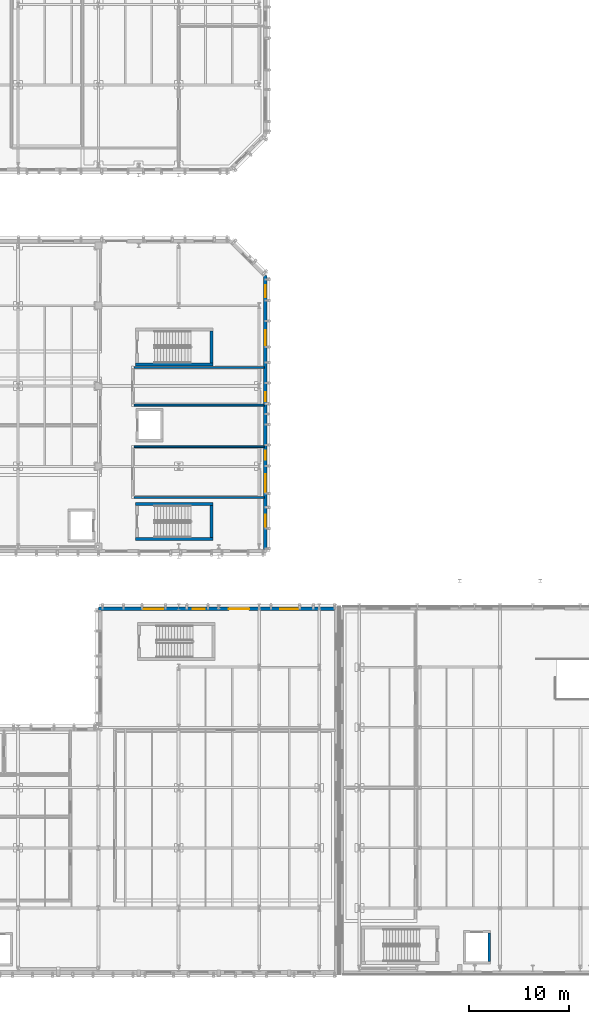
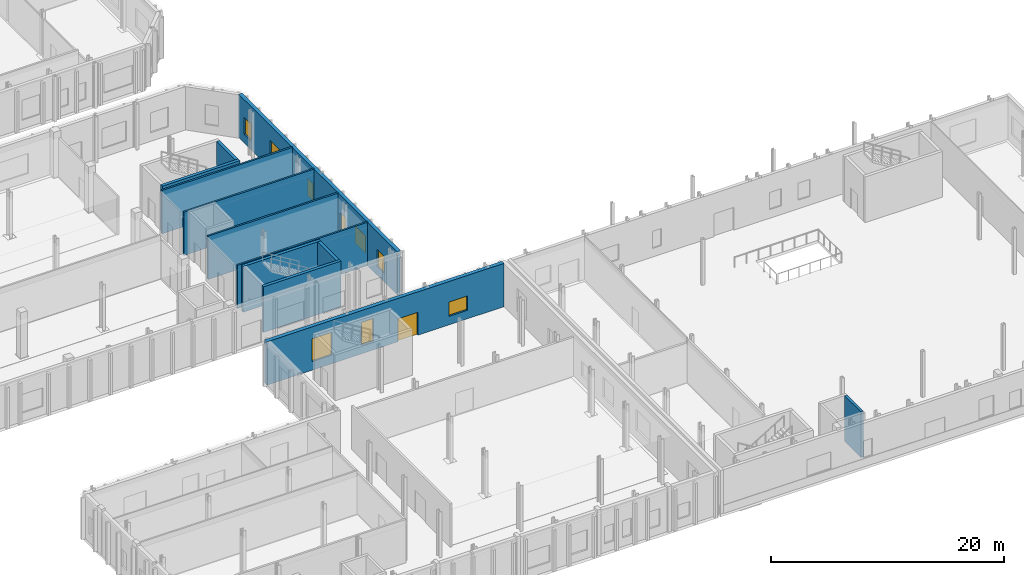
# One storey, part 25 of 60: 12 walls, 9 windows, 1 door, 10 openings.
"""IFC4 building model written with IfcOpenShell, lengths in metres."""

from ifc_helpers import new_model, si_unit, direction, frame, frame_2d, origin, place, context, subcontext, project, spatial, rectangle, extrude, material, layer, layer_set, type_object, element, fill, save


model = new_model("IFC4")

# Units and contexts
model_context = context("Model", 3, precision=1e-05, world=origin(), true_north=direction((0.0, 1.0)))
body_context = subcontext(model_context, "Body", "Model", "MODEL_VIEW")
ifc_project = project(units=[si_unit("LENGTHUNIT", "METRE"), si_unit("AREAUNIT", "SQUARE_METRE"), si_unit("VOLUMEUNIT", "CUBIC_METRE"), si_unit("PLANEANGLEUNIT", "RADIAN"), si_unit("MASSUNIT", "GRAM", prefix="KILO")], contexts=[model_context])

# Site, building, storey
site_placement = place(None, origin())
site = spatial("IfcSite", under=ifc_project, at=site_placement, CompositionType="ELEMENT")
building_placement = place(site_placement, origin())
building = spatial("IfcBuilding", under=site, at=building_placement, Name="Cymarion Research Institute", CompositionType="ELEMENT")
storey_placement = place(building_placement, origin())
storey = spatial("IfcBuildingStorey", under=building, at=storey_placement, Name="L00", CompositionType="ELEMENT", Elevation=0.0)

# Wall, openings, windows
ifc_material_1 = material(Name="Precast concrete C40/50", Category="concrete")
ifc_layer_1 = layer(ifc_material_1, 0.340087890625)
ifc_layer_set_1 = layer_set([ifc_layer_1], Name="Precast concrete C40/50")
wall_type_1 = type_object("IfcWallType", Name="EXTERIOR WALL EW-PC340 340MM", PredefinedType="SOLIDWALL", material=ifc_layer_set_1)
wall_1_placement = place(storey_placement, frame((47.22998046875, 47.221923828125, 0.0), z_axis=(0.0, 0.0, 1.0), x_axis=(0.0, 1.0, 0.0)))
wall_1 = element("IfcWall", 1, at=wall_1_placement, inside=storey, type_object=wall_type_1, Name="L00 V4 exterior wall EW-PC340 #66", PredefinedType="SOLIDWALL", context=body_context, shape_type="SweptSolid", body=[
    extrude(rectangle(XDim=27.278076171875, YDim=0.340087890625, at=frame_2d((13.63916015625, 0.0))), origin(), (0.0, 0.0, 1.0), 4.550048828125),
])
opening_1_placement = place(wall_1_placement, frame((2.248046875, 0.0, 0.89990234375)))
opening_1 = element("IfcOpeningElement", 2, at=opening_1_placement, cuts=wall_1, Name="Opening W01", PredefinedType="OPENING", context=body_context, shape_type="SweptSolid", body=[
    extrude(rectangle(XDim=1.199951171875, YDim=1.800048828125, at=frame_2d((0.60009765625, 0.89990234375))), frame((0.0, 0.179931640625, 0.0), z_axis=(0.0, -1.0, 0.0), x_axis=(1.0, 0.0, 0.0)), (0.0, 0.0, 1.0), 0.360107421875),
])
opening_2_placement = place(wall_1_placement, frame((5.7080078125, 0.0, 0.89990234375)))
opening_2 = element("IfcOpeningElement", 3, at=opening_2_placement, cuts=wall_1, Name="Opening W03", PredefinedType="OPENING", context=body_context, shape_type="SweptSolid", body=[
    extrude(rectangle(XDim=1.800048828125, YDim=1.800048828125, at=frame_2d((0.89990234375, 0.89990234375))), frame((0.0, 0.179931640625, 0.0), z_axis=(0.0, -1.0, 0.0), x_axis=(1.0, 0.0, 0.0)), (0.0, 0.0, 1.0), 0.360107421875),
])
opening_3_placement = place(wall_1_placement, frame((8.923095703125, 0.0, 0.89990234375)))
opening_3 = element("IfcOpeningElement", 4, at=opening_3_placement, cuts=wall_1, Name="Opening W24", PredefinedType="OPENING", context=body_context, shape_type="SweptSolid", body=[
    extrude(rectangle(XDim=0.89990234375, YDim=1.800048828125, at=frame_2d((0.449951171875, 0.89990234375))), frame((0.0, 0.179931640625, 0.0), z_axis=(0.0, -1.0, 0.0), x_axis=(1.0, 0.0, 0.0)), (0.0, 0.0, 1.0), 0.360107421875),
])
opening_4_placement = place(wall_1_placement, frame((14.758056640625, 0.0, 0.89990234375)))
opening_4 = element("IfcOpeningElement", 5, at=opening_4_placement, cuts=wall_1, Name="Opening W24", PredefinedType="OPENING", context=body_context, shape_type="SweptSolid", body=[
    extrude(rectangle(XDim=0.89990234375, YDim=1.800048828125, at=frame_2d((0.449951171875, 0.89990234375))), frame((0.0, 0.179931640625, 0.0), z_axis=(0.0, -1.0, 0.0), x_axis=(1.0, 0.0, 0.0)), (0.0, 0.0, 1.0), 0.360107421875),
])
opening_5_placement = place(wall_1_placement, frame((20.3330078125, 0.0, 0.89990234375)))
opening_5 = element("IfcOpeningElement", 6, at=opening_5_placement, cuts=wall_1, Name="Opening W09", PredefinedType="OPENING", context=body_context, shape_type="SweptSolid", body=[
    extrude(rectangle(XDim=1.5, YDim=2.10009765625, at=frame_2d((0.75, 1.050048828125))), frame((0.0, 0.179931640625, 0.0), z_axis=(0.0, -1.0, 0.0), x_axis=(1.0, 0.0, 0.0)), (0.0, 0.0, 1.0), 0.360107421875),
])
opening_6_placement = place(wall_1_placement, frame((25.1279296875, 0.0, 0.89990234375)))
opening_6 = element("IfcOpeningElement", 7, at=opening_6_placement, cuts=wall_1, Name="Opening W01", PredefinedType="OPENING", context=body_context, shape_type="SweptSolid", body=[
    extrude(rectangle(XDim=1.199951171875, YDim=1.800048828125, at=frame_2d((0.60009765625, 0.89990234375))), frame((0.0, 0.179931640625, 0.0), z_axis=(0.0, -1.0, 0.0), x_axis=(1.0, 0.0, 0.0)), (0.0, 0.0, 1.0), 0.360107421875),
])
ifc_material_2 = material(Name="Thermally broken aluminium window with Low-E glazing", Category="aluminium")
window_type_1 = type_object("IfcWindowType", Name="THERMALLY BROKEN ALUMINIUM WINDOW W01 1200X1800", PartitioningType="SINGLE_PANEL", PredefinedType="WINDOW", material=ifc_material_2)
window_1_placement = place(opening_1_placement, origin())
window_1 = element("IfcWindow", 8, at=window_1_placement, inside=storey, type_object=window_type_1, Name="L00 V4 facade window W01 #101", OverallHeight=1.800048828125, OverallWidth=1.199951171875, PartitioningType="SINGLE_PANEL", PredefinedType="WINDOW", context=body_context, shape_type="SweptSolid", body=[
    extrude(rectangle(XDim=1.199951171875, YDim=1.800048828125, at=frame_2d((0.60009765625, 0.89990234375))), frame((0.0, 0.030029296875, 0.0), z_axis=(0.0, -1.0, 0.0), x_axis=(1.0, 0.0, 0.0)), (0.0, 0.0, 1.0), 0.06005859375),
])
fill(opening_1, window_1)
window_2_placement = place(opening_6_placement, origin())
window_2 = element("IfcWindow", 9, at=window_2_placement, inside=storey, type_object=window_type_1, Name="L00 V4 facade window W01 #106", OverallHeight=1.800048828125, OverallWidth=1.199951171875, PartitioningType="SINGLE_PANEL", PredefinedType="WINDOW", context=body_context, shape_type="SweptSolid", body=[
    extrude(rectangle(XDim=1.199951171875, YDim=1.800048828125, at=frame_2d((0.60009765625, 0.89990234375))), frame((0.0, 0.030029296875, 0.0), z_axis=(0.0, -1.0, 0.0), x_axis=(1.0, 0.0, 0.0)), (0.0, 0.0, 1.0), 0.06005859375),
])
fill(opening_6, window_2)
window_type_2 = type_object("IfcWindowType", Name="THERMALLY BROKEN ALUMINIUM WINDOW W03 1800X1800", PartitioningType="DOUBLE_PANEL_VERTICAL", PredefinedType="WINDOW", material=ifc_material_2)
window_3_placement = place(opening_2_placement, origin())
window_3 = element("IfcWindow", 10, at=window_3_placement, inside=storey, type_object=window_type_2, Name="L00 V4 facade window W03 #102", OverallHeight=1.800048828125, OverallWidth=1.800048828125, PartitioningType="SINGLE_PANEL", PredefinedType="WINDOW", context=body_context, shape_type="SweptSolid", body=[
    extrude(rectangle(XDim=1.800048828125, YDim=1.800048828125, at=frame_2d((0.89990234375, 0.89990234375))), frame((0.0, 0.030029296875, 0.0), z_axis=(0.0, -1.0, 0.0), x_axis=(1.0, 0.0, 0.0)), (0.0, 0.0, 1.0), 0.06005859375),
])
fill(opening_2, window_3)
window_type_3 = type_object("IfcWindowType", Name="THERMALLY BROKEN ALUMINIUM WINDOW W09 1500X2100", PartitioningType="DOUBLE_PANEL_VERTICAL", PredefinedType="WINDOW", material=ifc_material_2)
window_4_placement = place(opening_5_placement, origin())
window_4 = element("IfcWindow", 11, at=window_4_placement, inside=storey, type_object=window_type_3, Name="L00 V4 facade window W09 #105", OverallHeight=2.10009765625, OverallWidth=1.5, PartitioningType="SINGLE_PANEL", PredefinedType="WINDOW", context=body_context, shape_type="SweptSolid", body=[
    extrude(rectangle(XDim=1.5, YDim=2.10009765625, at=frame_2d((0.75, 1.050048828125))), frame((0.0, 0.030029296875, 0.0), z_axis=(0.0, -1.0, 0.0), x_axis=(1.0, 0.0, 0.0)), (0.0, 0.0, 1.0), 0.06005859375),
])
fill(opening_5, window_4)
window_type_4 = type_object("IfcWindowType", Name="THERMALLY BROKEN ALUMINIUM WINDOW W24 900X1800", PartitioningType="SINGLE_PANEL", PredefinedType="WINDOW", material=ifc_material_2)
window_5_placement = place(opening_3_placement, origin())
window_5 = element("IfcWindow", 12, at=window_5_placement, inside=storey, type_object=window_type_4, Name="L00 V4 facade window W24 #103", OverallHeight=1.800048828125, OverallWidth=0.89990234375, PartitioningType="SINGLE_PANEL", PredefinedType="WINDOW", context=body_context, shape_type="SweptSolid", body=[
    extrude(rectangle(XDim=0.89990234375, YDim=1.800048828125, at=frame_2d((0.449951171875, 0.89990234375))), frame((0.0, 0.030029296875, 0.0), z_axis=(0.0, -1.0, 0.0), x_axis=(1.0, 0.0, 0.0)), (0.0, 0.0, 1.0), 0.06005859375),
])
fill(opening_3, window_5)
window_6_placement = place(opening_4_placement, origin())
window_6 = element("IfcWindow", 13, at=window_6_placement, inside=storey, type_object=window_type_4, Name="L00 V4 facade window W24 #104", OverallHeight=1.800048828125, OverallWidth=0.89990234375, PartitioningType="SINGLE_PANEL", PredefinedType="WINDOW", context=body_context, shape_type="SweptSolid", body=[
    extrude(rectangle(XDim=0.89990234375, YDim=1.800048828125, at=frame_2d((0.449951171875, 0.89990234375))), frame((0.0, 0.030029296875, 0.0), z_axis=(0.0, -1.0, 0.0), x_axis=(1.0, 0.0, 0.0)), (0.0, 0.0, 1.0), 0.06005859375),
])
fill(opening_4, window_6)

# Wall, openings, door, windows
ifc_layer_2 = layer(ifc_material_1, 0.3798828125)
ifc_layer_set_2 = layer_set([ifc_layer_2], Name="Precast concrete C40/50")
wall_type_2 = type_object("IfcWallType", Name="EXTERIOR WALL EW-PC380 380MM", PredefinedType="SOLIDWALL", material=ifc_layer_set_2)
wall_2_placement = place(storey_placement, frame((54.137939453125, 41.31005859375, 0.0), z_axis=(0.0, 0.0, 1.0), x_axis=(-1.0, 0.0, 0.0)))
wall_2 = element("IfcWall", 14, at=wall_2_placement, inside=storey, type_object=wall_type_2, Name="L00 V3 exterior wall EW-PC380 #61", PredefinedType="SOLIDWALL", context=body_context, shape_type="SweptSolid", body=[
    extrude(rectangle(XDim=23.537841796875, YDim=0.3798828125, at=frame_2d((11.76904296875, 0.0))), origin(), (0.0, 0.0, 1.0), 4.550048828125),
])
opening_7_placement = place(wall_2_placement, frame((8.5380859375, 0.0, 0.0)))
opening_7 = element("IfcOpeningElement", 15, at=opening_7_placement, cuts=wall_2, Name="Opening D-EX10", PredefinedType="OPENING", context=body_context, shape_type="SweptSolid", body=[
    extrude(rectangle(XDim=2.0, YDim=2.39990234375, at=frame_2d((1.0, 1.199951171875))), frame((0.0, 0.199951171875, 0.0), z_axis=(0.0, -1.0, 0.0), x_axis=(1.0, 0.0, 0.0)), (0.0, 0.0, 1.0), 0.39990234375),
])
opening_8_placement = place(wall_2_placement, frame((3.637939453125, 0.0, 0.89990234375)))
opening_8 = element("IfcOpeningElement", 16, at=opening_8_placement, cuts=wall_2, Name="Opening W17", PredefinedType="OPENING", context=body_context, shape_type="SweptSolid", body=[
    extrude(rectangle(XDim=1.800048828125, YDim=1.5, at=frame_2d((0.89990234375, 0.75))), frame((0.0, 0.199951171875, 0.0), z_axis=(0.0, -1.0, 0.0), x_axis=(1.0, 0.0, 0.0)), (0.0, 0.0, 1.0), 0.39990234375),
])
opening_9_placement = place(wall_2_placement, frame((12.93798828125, 0.0, 0.89990234375)))
opening_9 = element("IfcOpeningElement", 17, at=opening_9_placement, cuts=wall_2, Name="Opening W19", PredefinedType="OPENING", context=body_context, shape_type="SweptSolid", body=[
    extrude(rectangle(XDim=1.199951171875, YDim=2.39990234375, at=frame_2d((0.60009765625, 1.199951171875))), frame((0.0, 0.199951171875, 0.0), z_axis=(0.0, -1.0, 0.0), x_axis=(1.0, 0.0, 0.0)), (0.0, 0.0, 1.0), 0.39990234375),
])
opening_10_placement = place(wall_2_placement, frame((17.05810546875, 0.0, 0.89990234375)))
opening_10 = element("IfcOpeningElement", 18, at=opening_10_placement, cuts=wall_2, Name="Opening W21", PredefinedType="OPENING", context=body_context, shape_type="SweptSolid", body=[
    extrude(rectangle(XDim=2.0, YDim=2.39990234375, at=frame_2d((1.0, 1.199951171875))), frame((0.0, 0.199951171875, 0.0), z_axis=(0.0, -1.0, 0.0), x_axis=(1.0, 0.0, 0.0)), (0.0, 0.0, 1.0), 0.39990234375),
])
ifc_material_3 = material(Name="Thermally broken anodised aluminium glazed door", Category="aluminium")
door_type = type_object("IfcDoorType", Name="GLAZED ALUMINIUM DOUBLE EXIT DOOR DT-EX200 2000X2400", OperationType="DOUBLE_DOOR_SINGLE_SWING", PredefinedType="DOOR", material=ifc_material_3)
door_placement = place(opening_7_placement, frame((2.0, 0.0, 0.0), z_axis=(0.0, 0.0, 1.0), x_axis=(-1.0, 0.0, 0.0)))
door = element("IfcDoor", 19, at=door_placement, inside=storey, type_object=door_type, Name="L00 V3 Final Exit Door D-EX10", OperationType="DOUBLE_DOOR_SINGLE_SWING", OverallHeight=2.39990234375, OverallWidth=2.0, PredefinedType="DOOR", context=body_context, shape_type="SweptSolid", body=[
    extrude(rectangle(XDim=2.0, YDim=2.39990234375, at=frame_2d((1.0, 1.199951171875))), frame((0.0, 0.02490234375, 0.0), z_axis=(0.0, -1.0, 0.0), x_axis=(1.0, 0.0, 0.0)), (0.0, 0.0, 1.0), 0.050048828125),
])
fill(opening_7, door)
window_type_5 = type_object("IfcWindowType", Name="THERMALLY BROKEN ALUMINIUM WINDOW W17 1800X1500", PartitioningType="DOUBLE_PANEL_HORIZONTAL", PredefinedType="WINDOW", material=ifc_material_2)
window_7_placement = place(opening_8_placement, origin())
window_7 = element("IfcWindow", 20, at=window_7_placement, inside=storey, type_object=window_type_5, Name="L00 V3 facade window W17 #82", OverallHeight=1.5, OverallWidth=1.800048828125, PartitioningType="SINGLE_PANEL", PredefinedType="WINDOW", context=body_context, shape_type="SweptSolid", body=[
    extrude(rectangle(XDim=1.800048828125, YDim=1.5, at=frame_2d((0.89990234375, 0.75))), frame((0.0, 0.030029296875, 0.0), z_axis=(0.0, -1.0, 0.0), x_axis=(1.0, 0.0, 0.0)), (0.0, 0.0, 1.0), 0.06005859375),
])
fill(opening_8, window_7)
window_type_6 = type_object("IfcWindowType", Name="THERMALLY BROKEN ALUMINIUM WINDOW W19 1200X2400", PartitioningType="SINGLE_PANEL", PredefinedType="WINDOW", material=ifc_material_2)
window_8_placement = place(opening_9_placement, origin())
window_8 = element("IfcWindow", 21, at=window_8_placement, inside=storey, type_object=window_type_6, Name="L00 V3 facade window W19 #83", OverallHeight=2.39990234375, OverallWidth=1.199951171875, PartitioningType="SINGLE_PANEL", PredefinedType="WINDOW", context=body_context, shape_type="SweptSolid", body=[
    extrude(rectangle(XDim=1.199951171875, YDim=2.39990234375, at=frame_2d((0.60009765625, 1.199951171875))), frame((0.0, 0.030029296875, 0.0), z_axis=(0.0, -1.0, 0.0), x_axis=(1.0, 0.0, 0.0)), (0.0, 0.0, 1.0), 0.06005859375),
])
fill(opening_9, window_8)
window_type_7 = type_object("IfcWindowType", Name="THERMALLY BROKEN ALUMINIUM WINDOW W21 2000X2400", PartitioningType="DOUBLE_PANEL_VERTICAL", PredefinedType="WINDOW", material=ifc_material_2)
window_9_placement = place(opening_10_placement, origin())
window_9 = element("IfcWindow", 22, at=window_9_placement, inside=storey, type_object=window_type_7, Name="L00 V3 facade window W21 #84", OverallHeight=2.39990234375, OverallWidth=2.0, PartitioningType="SINGLE_PANEL", PredefinedType="WINDOW", context=body_context, shape_type="SweptSolid", body=[
    extrude(rectangle(XDim=2.0, YDim=2.39990234375, at=frame_2d((1.0, 1.199951171875))), frame((0.0, 0.030029296875, 0.0), z_axis=(0.0, -1.0, 0.0), x_axis=(1.0, 0.0, 0.0)), (0.0, 0.0, 1.0), 0.06005859375),
])
fill(opening_10, window_9)

# Walls
ifc_material_4 = material(Name="Moisture-resistant laboratory partition", Category="gypsum")
ifc_layer_3 = layer(ifc_material_4, 0.179931640625)
ifc_layer_set_3 = layer_set([ifc_layer_3], Name="Moisture-resistant laboratory partition")
wall_type_3 = type_object("IfcWallType", Name="INTERIOR PARTITION IW-LB180 180MM", PredefinedType="PARTITIONING", material=ifc_layer_set_3)
for number, where, z_axis, x_axis, name in (
    (23, (34.14990234375, 52.39990234375, 0.0), (0.0, 0.0, 1.0), (1.0, 0.0, 0.0), "L00 V4 interior partition IW-LB180 #87"),
    (24, (34.14990234375, 57.449951171875, 0.0), (0.0, 0.0, 1.0), (1.0, 0.0, 0.0), "L00 V4 interior partition IW-LB180 #88"),
    (25, (34.14990234375, 61.60009765625, 0.0), (0.0, 0.0, 1.0), (1.0, 0.0, 0.0), "L00 V4 interior partition IW-LB180 #89"),
    (26, (34.14990234375, 65.35009765625, 0.0), (0.0, 0.0, 1.0), (1.0, 0.0, 0.0), "L00 V4 interior partition IW-LB180 #90"),
):
    element("IfcWall", number, at=place(storey_placement, frame(where, z_axis=z_axis, x_axis=x_axis)), inside=storey, type_object=wall_type_3, Name=name, PredefinedType="PARTITIONING", context=body_context, shape_type="SweptSolid", body=[
        extrude(rectangle(XDim=12.965087890625, YDim=0.179931640625, at=frame_2d((6.482421875, 0.0))), origin(), (0.0, 0.0, 1.0), 4.550048828125),
    ])
ifc_material_5 = material(Name="Concrete C40/50", Category="concrete")
ifc_layer_4 = layer(ifc_material_5, 0.25)
ifc_layer_set_4 = layer_set([ifc_layer_4], Name="Concrete C40/50")
wall_type_4 = type_object("IfcWallType", Name="REINFORCED CONCRETE CORE WALL CW-SH250 250MM", PredefinedType="SHEAR", material=ifc_layer_set_4)
wall_3_placement = place(storey_placement, frame((69.52490234375, 6.199951171875, 0.0), z_axis=(0.0, 0.0, 1.0), x_axis=(0.0, 1.0, 0.0)))
element("IfcWall", 27, at=wall_3_placement, inside=storey, type_object=wall_type_4, Name="L00 LSH-LP2-L00 east core wall", PredefinedType="SHEAR", context=body_context, shape_type="SweptSolid", body=[
    extrude(rectangle(XDim=2.800048828125, YDim=0.25, at=frame_2d((1.39990234375, 0.0))), origin(), (0.0, 0.0, 1.0), 4.800048828125),
])
ifc_layer_5 = layer(ifc_material_5, 0.300048828125)
ifc_layer_set_5 = layer_set([ifc_layer_5], Name="Concrete C40/50")
wall_type_5 = type_object("IfcWallType", Name="REINFORCED CONCRETE CORE WALL CW-SH300 300MM", PredefinedType="SHEAR", material=ifc_layer_set_5)
for number, where, z_axis, x_axis, name in (
    (28, (34.300048828125, 48.25, 0.0), (0.0, 0.0, 1.0), (1.0, 0.0, 0.0), "L00 SHW-C7-L00 south core wall"),
    (29, (42.0, 51.75, 0.0), (0.0, 0.0, 1.0), (-1.0, 0.0, 0.0), "L00 SHW-C7-L00 north core wall"),
):
    element("IfcWall", number, at=place(storey_placement, frame(where, z_axis=z_axis, x_axis=x_axis)), inside=storey, type_object=wall_type_5, Name=name, PredefinedType="SHEAR", context=body_context, shape_type="SweptSolid", body=[
        extrude(rectangle(XDim=7.699951171875, YDim=0.300048828125, at=frame_2d((3.85009765625, 0.0))), origin(), (0.0, 0.0, 1.0), 4.800048828125),
    ])
wall_4_placement = place(storey_placement, frame((41.85009765625, 48.39990234375, 0.0), z_axis=(0.0, 0.0, 1.0), x_axis=(0.0, 1.0, 0.0)))
element("IfcWall", 30, at=wall_4_placement, inside=storey, type_object=wall_type_5, Name="L00 SHW-C7-L00 east core wall", PredefinedType="SHEAR", context=body_context, shape_type="SweptSolid", body=[
    extrude(rectangle(XDim=3.2001953125, YDim=0.300048828125, at=frame_2d((1.60009765625, 0.0))), origin(), (0.0, 0.0, 1.0), 4.800048828125),
])
wall_5_placement = place(storey_placement, frame((34.300048828125, 65.64990234375, 0.0), z_axis=(0.0, 0.0, 1.0), x_axis=(1.0, 0.0, 0.0)))
element("IfcWall", 31, at=wall_5_placement, inside=storey, type_object=wall_type_5, Name="L00 SHW-C8-L00 south core wall", PredefinedType="SHEAR", context=body_context, shape_type="SweptSolid", body=[
    extrude(rectangle(XDim=7.699951171875, YDim=0.300048828125, at=frame_2d((3.85009765625, 0.0))), origin(), (0.0, 0.0, 1.0), 4.800048828125),
])
wall_6_placement = place(storey_placement, frame((41.85009765625, 65.800048828125, 0.0), z_axis=(0.0, 0.0, 1.0), x_axis=(0.0, 1.0, 0.0)))
element("IfcWall", 32, at=wall_6_placement, inside=storey, type_object=wall_type_5, Name="L00 SHW-C8-L00 east core wall", PredefinedType="SHEAR", context=body_context, shape_type="SweptSolid", body=[
    extrude(rectangle(XDim=3.199951171875, YDim=0.300048828125, at=frame_2d((1.60009765625, 0.0))), origin(), (0.0, 0.0, 1.0), 4.800048828125),
])

save(model, "model.ifc")
